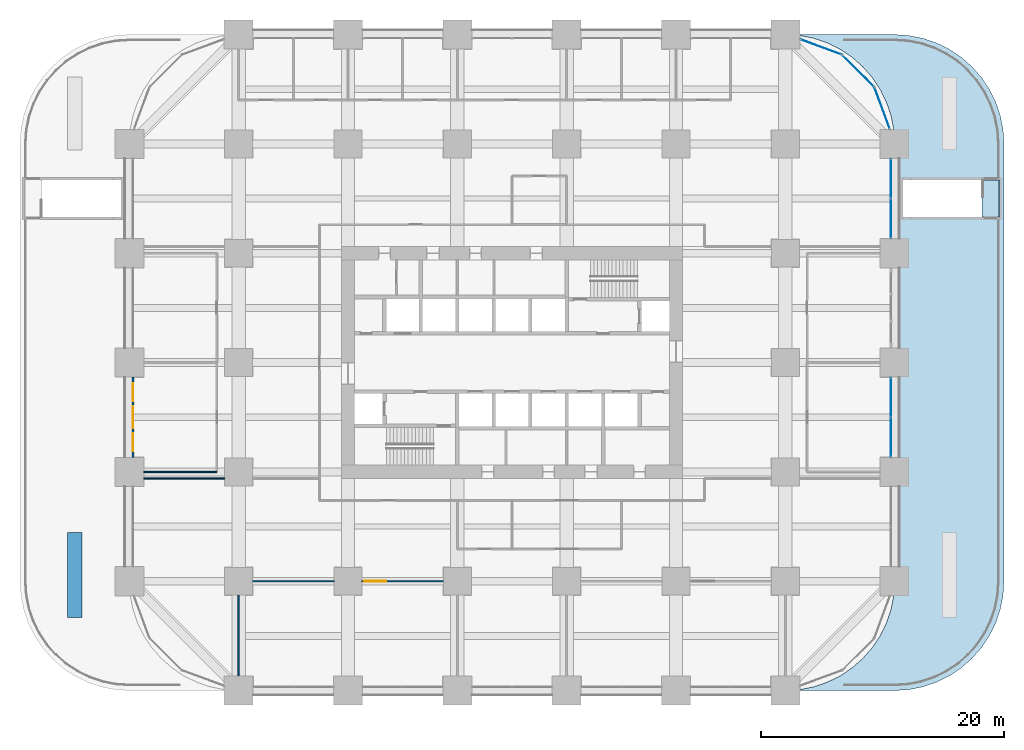
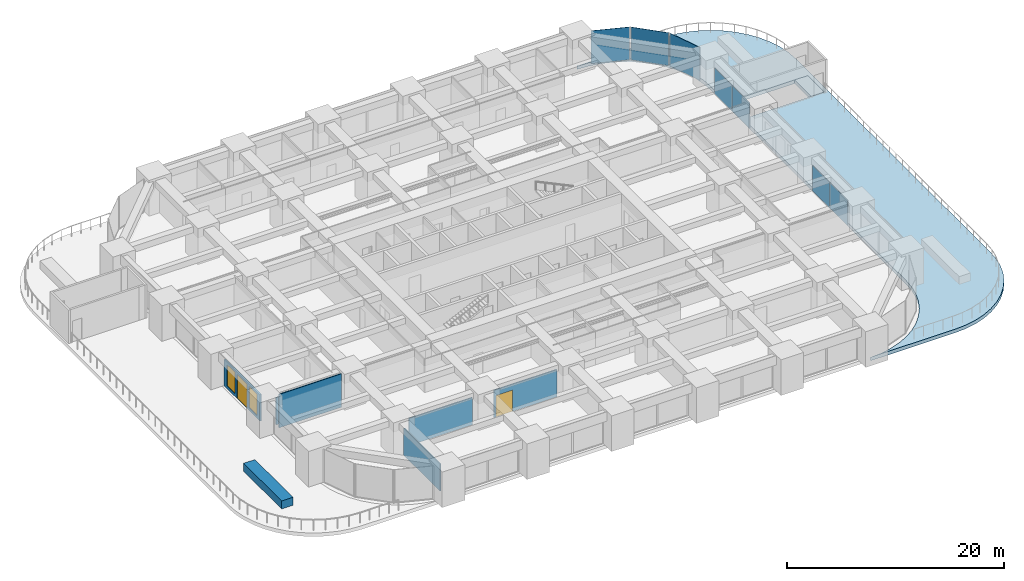
# One storey, part 31 of 38: 7 plates, 7 walls, 2 doors, 2 slabs, 2 windows, 4 openings, 5 elements without a shape of their own.
"""IFC4 building model written with IfcOpenShell, lengths in metres."""

from ifc_helpers import new_model, si_unit, direction, frame, frame_2d, origin, origin_2d, place, context, subcontext, project, spatial, polyline, rectangle, outline, extrude, material, layer, layer_set, type_object, element, fill, aggregate, save


model = new_model("IFC4")

# Units and contexts
model_context = context("Model", 3, precision=1e-05, world=origin(), true_north=direction((0.0, 1.0)))
body_context = subcontext(model_context, "Body", "Model", "MODEL_VIEW")
ifc_project = project(units=[si_unit("LENGTHUNIT", "METRE"), si_unit("AREAUNIT", "SQUARE_METRE"), si_unit("VOLUMEUNIT", "CUBIC_METRE"), si_unit("PLANEANGLEUNIT", "RADIAN"), si_unit("MASSUNIT", "GRAM", prefix="KILO")], contexts=[model_context])

# Site, building, storey
site_placement = place(None, origin())
site = spatial("IfcSite", under=ifc_project, at=site_placement, CompositionType="ELEMENT")
building_placement = place(site_placement, origin())
building = spatial("IfcBuilding", under=site, at=building_placement, Name="Zorevar Civic Tower", CompositionType="ELEMENT")
storey_placement = place(building_placement, frame((0.0, 0.0, 15.800048828125)))
storey = spatial("IfcBuildingStorey", under=building, at=storey_placement, Name="L03", CompositionType="ELEMENT", Elevation=15.800048828125)

# Curtain wall, plates
ifc_material_1 = material(Name="Dark grey solar-control glass in black aluminium frame", Category="aluminium")
curtain_wall_type = type_object("IfcCurtainWallType", Name="Curtain wall CW2 low zone", PredefinedType="NOTDEFINED", material=ifc_material_1)
curtain_wall_1_placement = place(storey_placement, origin())
curtain_wall_1 = element("IfcCurtainWall", 1, at=curtain_wall_1_placement, inside=storey, type_object=curtain_wall_type, Name="CW2 L03", PredefinedType="NOTDEFINED")
ifc_material_2 = material(Name="Dark grey solar-control glass", Category="glass")
ifc_layer_1 = layer(ifc_material_2, 0.031982421875)
ifc_layer_set_1 = layer_set([ifc_layer_1], Name="CW2 panel 32")
plate_type = type_object("IfcPlateType", Name="CW2 panel 32", PredefinedType="CURTAIN_PANEL", material=ifc_layer_set_1)
plate_1_placement = place(storey_placement, frame((62.699951171875, 20.864990234375, 0.06005859375), z_axis=(0.0, 0.0, 1.0), x_axis=(0.0, 1.0, 0.0)))
plate_1 = element("IfcPlate", 2, at=plate_1_placement, type_object=plate_type, Name="CW2 panel 1.1", PredefinedType="CURTAIN_PANEL", context=body_context, shape_type="SweptSolid", body=[
    extrude(rectangle(XDim=3.2099609375, YDim=0.031982421875, at=origin_2d()), origin(), (0.0, 0.0, 1.0), 2.889892578125),
])
plate_2_placement = place(storey_placement, frame((62.699951171875, 24.135009765625, 0.06005859375), z_axis=(0.0, 0.0, 1.0), x_axis=(0.0, 1.0, 0.0)))
plate_2 = element("IfcPlate", 3, at=plate_2_placement, type_object=plate_type, Name="CW2 panel 2.1", PredefinedType="CURTAIN_PANEL", context=body_context, shape_type="SweptSolid", body=[
    extrude(rectangle(XDim=3.2099609375, YDim=0.031982421875, at=origin_2d()), origin(), (0.0, 0.0, 1.0), 2.889892578125),
])
aggregate(curtain_wall_1, [plate_1, plate_2])

curtain_wall_2_placement = place(storey_placement, origin())
curtain_wall_2 = element("IfcCurtainWall", 4, at=curtain_wall_2_placement, inside=storey, type_object=curtain_wall_type, Name="CW2 L03", PredefinedType="NOTDEFINED")
plate_3_placement = place(storey_placement, frame((62.699951171875, 38.864990234375, 0.06005859375), z_axis=(0.0, 0.0, 1.0), x_axis=(0.0, 1.0, 0.0)))
plate_3 = element("IfcPlate", 5, at=plate_3_placement, type_object=plate_type, Name="CW2 panel 1.1", PredefinedType="CURTAIN_PANEL", context=body_context, shape_type="SweptSolid", body=[
    extrude(rectangle(XDim=3.2099609375, YDim=0.031982421875, at=origin_2d()), origin(), (0.0, 0.0, 1.0), 2.889892578125),
])
plate_4_placement = place(storey_placement, frame((62.699951171875, 42.135009765625, 0.06005859375), z_axis=(0.0, 0.0, 1.0), x_axis=(0.0, 1.0, 0.0)))
plate_4 = element("IfcPlate", 6, at=plate_4_placement, type_object=plate_type, Name="CW2 panel 2.1", PredefinedType="CURTAIN_PANEL", context=body_context, shape_type="SweptSolid", body=[
    extrude(rectangle(XDim=3.2099609375, YDim=0.031982421875, at=origin_2d()), origin(), (0.0, 0.0, 1.0), 2.889892578125),
])
aggregate(curtain_wall_2, [plate_3, plate_4])

# Curtain wall, plate
curtain_wall_3_placement = place(storey_placement, origin())
curtain_wall_3 = element("IfcCurtainWall", 7, at=curtain_wall_3_placement, inside=storey, type_object=curtain_wall_type, Name="CW2 L03", PredefinedType="NOTDEFINED")
plate_5_placement = place(storey_placement, frame((61.97119140625, 47.9462890625, 0.06005859375), z_axis=(0.0, 0.0, 1.0), x_axis=(-0.346704012033, 0.937974588163, 0.0)))
plate_5 = element("IfcPlate", 8, at=plate_5_placement, type_object=plate_type, Name="CW2 panel 1.1", PredefinedType="CURTAIN_PANEL", context=body_context, shape_type="SweptSolid", body=[
    extrude(rectangle(XDim=3.603759765625, YDim=0.031982421875, at=origin_2d()), origin(), (0.0, 0.0, 1.0), 3.68994140625),
])
aggregate(curtain_wall_3, [plate_5])

curtain_wall_4_placement = place(storey_placement, origin())
curtain_wall_4 = element("IfcCurtainWall", 9, at=curtain_wall_4_placement, inside=storey, type_object=curtain_wall_type, Name="CW2 L03", PredefinedType="NOTDEFINED")
plate_6_placement = place(storey_placement, frame((60.00927734375, 51.00927734375, 0.06005859375), z_axis=(0.0, 0.0, 1.0), x_axis=(-0.707106781187, 0.707106781187, 0.0)))
plate_6 = element("IfcPlate", 10, at=plate_6_placement, type_object=plate_type, Name="CW2 panel 1.1", PredefinedType="CURTAIN_PANEL", context=body_context, shape_type="SweptSolid", body=[
    extrude(rectangle(XDim=3.603759765625, YDim=0.031982421875, at=origin_2d()), origin(), (0.0, 0.0, 1.0), 3.68994140625),
])
aggregate(curtain_wall_4, [plate_6])

curtain_wall_5_placement = place(storey_placement, origin())
curtain_wall_5 = element("IfcCurtainWall", 11, at=curtain_wall_5_placement, inside=storey, type_object=curtain_wall_type, Name="CW2 L03", PredefinedType="NOTDEFINED")
plate_7_placement = place(storey_placement, frame((56.9462890625, 52.97119140625, 0.06005859375), z_axis=(0.0, 0.0, 1.0), x_axis=(-0.937974588163, 0.346704012033, 0.0)))
plate_7 = element("IfcPlate", 12, at=plate_7_placement, type_object=plate_type, Name="CW2 panel 1.1", PredefinedType="CURTAIN_PANEL", context=body_context, shape_type="SweptSolid", body=[
    extrude(rectangle(XDim=3.603759765625, YDim=0.031982421875, at=origin_2d()), origin(), (0.0, 0.0, 1.0), 3.68994140625),
])
aggregate(curtain_wall_5, [plate_7])

# Slabs
ifc_material_3 = material(Name="Concrete C40/50", Category="concrete")
ifc_layer_2 = layer(ifc_material_3, 0.39990234375)
ifc_layer_set_2 = layer_set([ifc_layer_2], Name="Stair landing 400")
slab_type_1 = type_object("IfcSlabType", Name="Stair landing 400", PredefinedType="LANDING", material=ifc_layer_set_2)
slab_1_placement = place(storey_placement, frame((0.0, 0.0, -0.400146484375)))
element("IfcSlab", 13, at=slab_1_placement, inside=storey, type_object=slab_type_1, Name="Stair PS2 floor landing L03", PredefinedType="LANDING", context=body_context, shape_type="SweptSolid", body=[
    extrude(outline(polyline([(70.199951171875, 38.97509765625), (71.60009765625, 38.97509765625), (71.60009765625, 42.02490234375), (70.199951171875, 42.02490234375), (70.199951171875, 38.97509765625)])), origin(), (0.0, 0.0, 1.0), 0.400146484375),
])
ifc_material_4 = material(Name="Concrete C40/50", Category="concrete")
ifc_layer_3 = layer(ifc_material_4, 0.39990234375)
ifc_layer_set_3 = layer_set([ifc_layer_3], Name="Terrace slab 400")
slab_type_2 = type_object("IfcSlabType", Name="Terrace slab 400", PredefinedType="ROOF", material=ifc_layer_set_3)
slab_2_placement = place(storey_placement, frame((0.0, 0.0, -0.400146484375)))
element("IfcSlab", 14, at=slab_2_placement, inside=storey, type_object=slab_type_2, Name="Terrace slab L03", PredefinedType="ROOF", context=body_context, shape_type="SweptSolid", body=[
    extrude(outline(polyline([(63.0, 54.0), (64.1748046875, 53.923095703125), (65.329345703125, 53.693359375), (66.444091796875, 53.31494140625), (67.5, 52.794189453125), (68.478759765625, 52.14013671875), (69.364013671875, 51.364013671875), (70.14013671875, 50.478759765625), (70.794189453125, 49.5), (71.31494140625, 48.444091796875), (71.693359375, 47.329345703125), (71.923095703125, 46.1748046875), (72.0, 45.0), (72.0, 9.0), (71.923095703125, 7.8251953125), (71.693359375, 6.670654296875), (71.31494140625, 5.555908203125), (70.794189453125, 4.5), (70.14013671875, 3.521240234375), (69.364013671875, 2.635986328125), (68.478759765625, 1.85986328125), (67.5, 1.205810546875), (66.444091796875, 0.68505859375), (65.329345703125, 0.306640625), (64.1748046875, 0.076904296875), (63.0, 0.0), (54.0, 0.0), (55.1748046875, 0.076904296875), (56.329345703125, 0.306640625), (57.444091796875, 0.68505859375), (58.5, 1.205810546875), (59.478759765625, 1.85986328125), (60.364013671875, 2.635986328125), (61.14013671875, 3.521240234375), (61.794189453125, 4.5), (62.31494140625, 5.555908203125), (62.693359375, 6.670654296875), (62.923095703125, 7.8251953125), (63.0, 9.0), (63.0, 45.0), (62.923095703125, 46.1748046875), (62.693359375, 47.329345703125), (62.31494140625, 48.444091796875), (61.794189453125, 49.5), (61.14013671875, 50.478759765625), (60.364013671875, 51.364013671875), (59.478759765625, 52.14013671875), (58.5, 52.794189453125), (57.444091796875, 53.31494140625), (56.329345703125, 53.693359375), (55.1748046875, 53.923095703125), (54.0, 54.0), (63.0, 54.0)]), holes=[polyline([(63.699951171875, 38.97509765625), (71.60009765625, 38.97509765625), (71.60009765625, 42.02490234375), (63.699951171875, 42.02490234375), (63.699951171875, 38.97509765625)])]), origin(), (0.0, 0.0, 1.0), 0.400146484375),
])

# Walls
ifc_material_5 = material(Name="Laminated glass in black aluminium frame", Category="aluminium")
ifc_layer_4 = layer(ifc_material_5, 0.10009765625)
ifc_layer_set_4 = layer_set([ifc_layer_4], Name="Glazed partition 100")
wall_type_1 = type_object("IfcWallType", Name="Glazed partition 100", PredefinedType="PARTITIONING", material=ifc_layer_set_4)
wall_1_placement = place(storey_placement, frame((1.199951171875, 17.449951171875, 0.0), z_axis=(0.0, 0.0, 1.0), x_axis=(1.0, 0.0, 0.0)))
element("IfcWall", 15, at=wall_1_placement, inside=storey, type_object=wall_type_1, Name="Glazed partition 100 L03", PredefinedType="PARTITIONING", context=body_context, shape_type="SweptSolid", body=[
    extrude(rectangle(XDim=6.650146484375, YDim=0.10009765625, at=frame_2d((3.3251953125, 0.0))), origin(), (0.0, 0.0, 1.0), 3.75),
])
wall_2_placement = place(storey_placement, frame((1.199951171875, 18.0, 0.0), z_axis=(0.0, 0.0, 1.0), x_axis=(1.0, 0.0, 0.0)))
element("IfcWall", 16, at=wall_2_placement, inside=storey, type_object=wall_type_1, Name="Glazed partition 100 L03", PredefinedType="PARTITIONING", context=body_context, shape_type="SweptSolid", body=[
    extrude(rectangle(XDim=6.0, YDim=0.10009765625, at=frame_2d((3.0, 0.0))), origin(), (0.0, 0.0, 1.0), 3.050048828125),
])
ifc_material_6 = material(Name="Gypsum board on steel studs", Category="steel")
ifc_layer_5 = layer(ifc_material_6, 0.1201171875)
ifc_layer_set_5 = layer_set([ifc_layer_5], Name="Partition 120")
wall_type_2 = type_object("IfcWallType", Name="Partition 120", PredefinedType="PARTITIONING", material=ifc_layer_set_5)
wall_3_placement = place(storey_placement, frame((10.14990234375, 9.0, 0.0), z_axis=(0.0, 0.0, 1.0), x_axis=(1.0, 0.0, 0.0)))
element("IfcWall", 17, at=wall_3_placement, inside=storey, type_object=wall_type_2, Name="Partition 120 L03", PredefinedType="PARTITIONING", context=body_context, shape_type="SweptSolid", body=[
    extrude(rectangle(XDim=6.7001953125, YDim=0.1201171875, at=frame_2d((3.35009765625, 0.0))), origin(), (0.0, 0.0, 1.0), 3.050048828125),
])

# Wall, opening, door
wall_4_placement = place(storey_placement, frame((19.14990234375, 9.0, 0.0), z_axis=(0.0, 0.0, 1.0), x_axis=(1.0, 0.0, 0.0)))
wall_4 = element("IfcWall", 18, at=wall_4_placement, inside=storey, type_object=wall_type_2, Name="Partition 120 L03", PredefinedType="PARTITIONING", context=body_context, shape_type="SweptSolid", body=[
    extrude(rectangle(XDim=6.7001953125, YDim=0.1201171875, at=frame_2d((3.35009765625, 0.0))), origin(), (0.0, 0.0, 1.0), 3.050048828125),
])
opening_1_placement = place(wall_4_placement, frame((0.199951171875, 0.0, 0.0)))
opening_1 = element("IfcOpeningElement", 19, at=opening_1_placement, cuts=wall_4, Name="Opening L03.17", PredefinedType="OPENING", context=body_context, shape_type="SweptSolid", body=[
    extrude(rectangle(XDim=1.800048828125, YDim=2.39990234375, at=frame_2d((0.89990234375, 1.199951171875))), frame((0.0, 0.070068359375, 0.0), z_axis=(0.0, -1.0, 0.0), x_axis=(1.0, 0.0, 0.0)), (0.0, 0.0, 1.0), 0.14013671875),
])
ifc_material_7 = material(Name="Steel door set", Category="steel")
door_type_1 = type_object("IfcDoorType", Name="Door D2 1800x2400", OperationType="DOUBLE_DOOR_SINGLE_SWING", PredefinedType="DOOR", material=ifc_material_7)
door_1_placement = place(opening_1_placement, origin())
door_1 = element("IfcDoor", 20, at=door_1_placement, inside=storey, type_object=door_type_1, Name="Door L03 D1", OperationType="DOUBLE_DOOR_SINGLE_SWING", OverallHeight=2.39990234375, OverallWidth=1.800048828125, PredefinedType="DOOR", context=body_context, shape_type="SweptSolid", body=[
    extrude(rectangle(XDim=1.800048828125, YDim=2.39990234375, at=frame_2d((0.89990234375, 1.199951171875))), frame((0.0, 0.02490234375, 0.0), z_axis=(0.0, -1.0, 0.0), x_axis=(1.0, 0.0, 0.0)), (0.0, 0.0, 1.0), 0.050048828125),
])
fill(opening_1, door_1)

# Walls
wall_5_placement = place(storey_placement, frame((9.0, 1.199951171875, 0.0), z_axis=(0.0, 0.0, 1.0), x_axis=(0.0, 1.0, 0.0)))
element("IfcWall", 21, at=wall_5_placement, inside=storey, type_object=wall_type_2, Name="Partition 120 L03", PredefinedType="PARTITIONING", context=body_context, shape_type="SweptSolid", body=[
    extrude(rectangle(XDim=6.650146484375, YDim=0.1201171875, at=frame_2d((3.3251953125, 0.0))), origin(), (0.0, 0.0, 1.0), 3.050048828125),
])
ifc_material_8 = material(Name="Precast concrete planter", Category="concrete")
ifc_layer_6 = layer(ifc_material_8, 1.199951171875)
ifc_layer_set_6 = layer_set([ifc_layer_6], Name="Planter PL1 1200")
wall_type_3 = type_object("IfcWallType", Name="Planter PL1 1200", PredefinedType="USERDEFINED", material=ifc_layer_set_6)
wall_6_placement = place(storey_placement, frame((-4.5, 6.0, 0.0), z_axis=(0.0, 0.0, 1.0), x_axis=(0.0, 1.0, 0.0)))
element("IfcWall", 22, at=wall_6_placement, inside=storey, type_object=wall_type_3, Name="Planter L03", ObjectType="PLANTER", PredefinedType="USERDEFINED", context=body_context, shape_type="SweptSolid", body=[
    extrude(rectangle(XDim=7.0, YDim=1.199951171875, at=frame_2d((3.5, 0.0))), origin(), (0.0, 0.0, 1.0), 0.89990234375),
])

# Wall, openings, door, windows
ifc_material_9 = material(Name="Black metal-faced insulated panel", Category="aluminium")
ifc_layer_7 = layer(ifc_material_9, 0.179931640625)
ifc_layer_set_7 = layer_set([ifc_layer_7], Name="Screen wall 180")
wall_type_4 = type_object("IfcWallType", Name="Screen wall 180", PredefinedType="SOLIDWALL", material=ifc_layer_set_7)
wall_7_placement = place(storey_placement, frame((0.300048828125, 19.199951171875, 0.0), z_axis=(0.0, 0.0, 1.0), x_axis=(0.0, 1.0, 0.0)))
wall_7 = element("IfcWall", 23, at=wall_7_placement, inside=storey, type_object=wall_type_4, Name="Screen wall L03 W18", PredefinedType="SOLIDWALL", context=body_context, shape_type="SweptSolid", body=[
    extrude(rectangle(XDim=6.60009765625, YDim=0.179931640625, at=frame_2d((3.300048828125, 0.0))), origin(), (0.0, 0.0, 1.0), 2.949951171875),
])
opening_2_placement = place(wall_7_placement, frame((2.39990234375, 0.0, 0.0)))
opening_2 = element("IfcOpeningElement", 24, at=opening_2_placement, cuts=wall_7, Name="Opening TD1", PredefinedType="OPENING", context=body_context, shape_type="SweptSolid", body=[
    extrude(rectangle(XDim=1.800048828125, YDim=2.699951171875, at=frame_2d((0.89990234375, 1.35009765625))), frame((0.0, 0.099853515625, 0.0), z_axis=(0.0, -1.0, 0.0), x_axis=(1.0, 0.0, 0.0)), (0.0, 0.0, 1.0), 0.199951171875),
])
opening_3_placement = place(wall_7_placement, frame((0.5, 0.0, 0.300048828125)))
opening_3 = element("IfcOpeningElement", 25, at=opening_3_placement, cuts=wall_7, Name="Opening WS1", PredefinedType="OPENING", context=body_context, shape_type="SweptSolid", body=[
    extrude(rectangle(XDim=1.5, YDim=2.39990234375, at=frame_2d((0.75, 1.199951171875))), frame((0.0, 0.099853515625, 0.0), z_axis=(0.0, -1.0, 0.0), x_axis=(1.0, 0.0, 0.0)), (0.0, 0.0, 1.0), 0.199951171875),
])
opening_4_placement = place(wall_7_placement, frame((4.60009765625, 0.0, 0.300048828125)))
opening_4 = element("IfcOpeningElement", 26, at=opening_4_placement, cuts=wall_7, Name="Opening WS1", PredefinedType="OPENING", context=body_context, shape_type="SweptSolid", body=[
    extrude(rectangle(XDim=1.5, YDim=2.39990234375, at=frame_2d((0.75, 1.199951171875))), frame((0.0, 0.099853515625, 0.0), z_axis=(0.0, -1.0, 0.0), x_axis=(1.0, 0.0, 0.0)), (0.0, 0.0, 1.0), 0.199951171875),
])
ifc_material_10 = material(Name="Black aluminium and dark glass", Category="aluminium")
door_type_2 = type_object("IfcDoorType", Name="Terrace door TD1 1800x2700", OperationType="DOUBLE_DOOR_SINGLE_SWING", PredefinedType="DOOR", material=ifc_material_10)
door_2_placement = place(opening_2_placement, origin())
door_2 = element("IfcDoor", 27, at=door_2_placement, inside=storey, type_object=door_type_2, Name="Terrace door L03 W18", OperationType="DOUBLE_DOOR_SINGLE_SWING", OverallHeight=2.699951171875, OverallWidth=1.800048828125, PredefinedType="DOOR", context=body_context, shape_type="SweptSolid", body=[
    extrude(rectangle(XDim=1.800048828125, YDim=2.699951171875, at=frame_2d((0.89990234375, 1.35009765625))), frame((0.0, 0.03515625, 0.0), z_axis=(0.0, -1.0, 0.0), x_axis=(1.0, 0.0, 0.0)), (0.0, 0.0, 1.0), 0.070068359375),
])
fill(opening_2, door_2)
ifc_material_11 = material(Name="Black aluminium and dark glass", Category="aluminium")
window_type = type_object("IfcWindowType", Name="Window WS1 1500x2400", PartitioningType="SINGLE_PANEL", PredefinedType="WINDOW", material=ifc_material_11)
window_1_placement = place(opening_3_placement, origin())
window_1 = element("IfcWindow", 28, at=window_1_placement, inside=storey, type_object=window_type, Name="Screen window L03 W18", OverallHeight=2.39990234375, OverallWidth=1.5, PartitioningType="SINGLE_PANEL", PredefinedType="WINDOW", context=body_context, shape_type="SweptSolid", body=[
    extrude(rectangle(XDim=1.5, YDim=2.39990234375, at=frame_2d((0.75, 1.199951171875))), frame((0.0, 0.030029296875, 0.0), z_axis=(0.0, -1.0, 0.0), x_axis=(1.0, 0.0, 0.0)), (0.0, 0.0, 1.0), 0.06005859375),
])
fill(opening_3, window_1)
window_2_placement = place(opening_4_placement, origin())
window_2 = element("IfcWindow", 29, at=window_2_placement, inside=storey, type_object=window_type, Name="Screen window L03 W18", OverallHeight=2.39990234375, OverallWidth=1.5, PartitioningType="SINGLE_PANEL", PredefinedType="WINDOW", context=body_context, shape_type="SweptSolid", body=[
    extrude(rectangle(XDim=1.5, YDim=2.39990234375, at=frame_2d((0.75, 1.199951171875))), frame((0.0, 0.030029296875, 0.0), z_axis=(0.0, -1.0, 0.0), x_axis=(1.0, 0.0, 0.0)), (0.0, 0.0, 1.0), 0.06005859375),
])
fill(opening_4, window_2)

save(model, "model.ifc")
